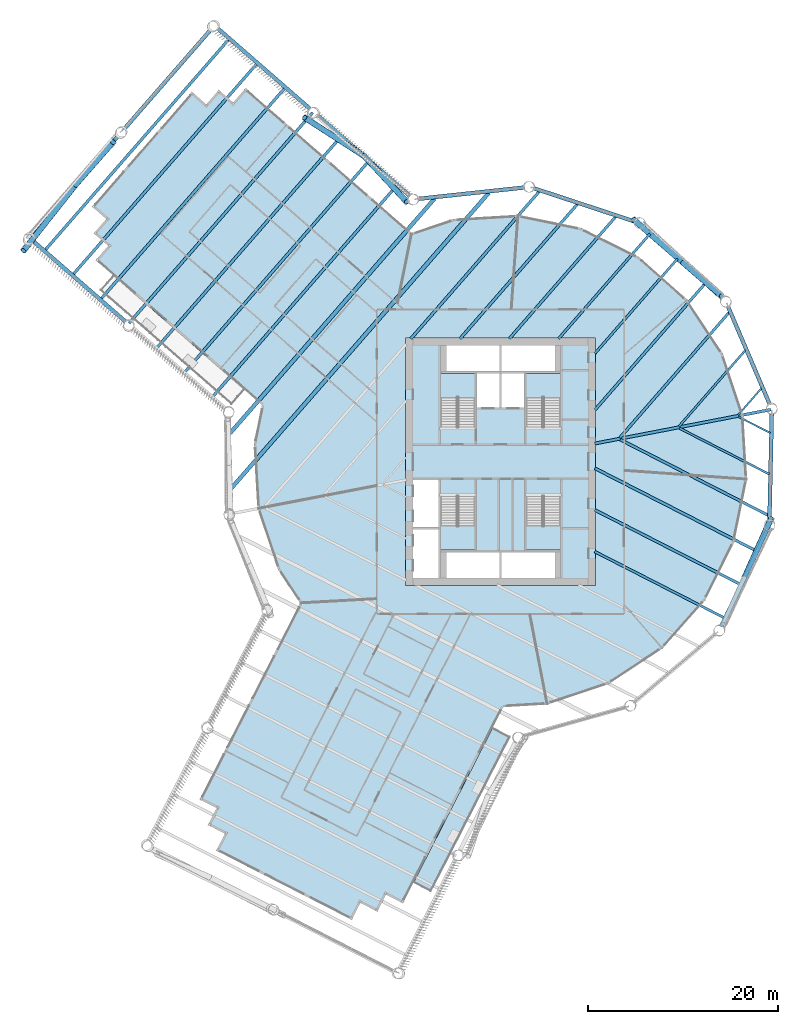
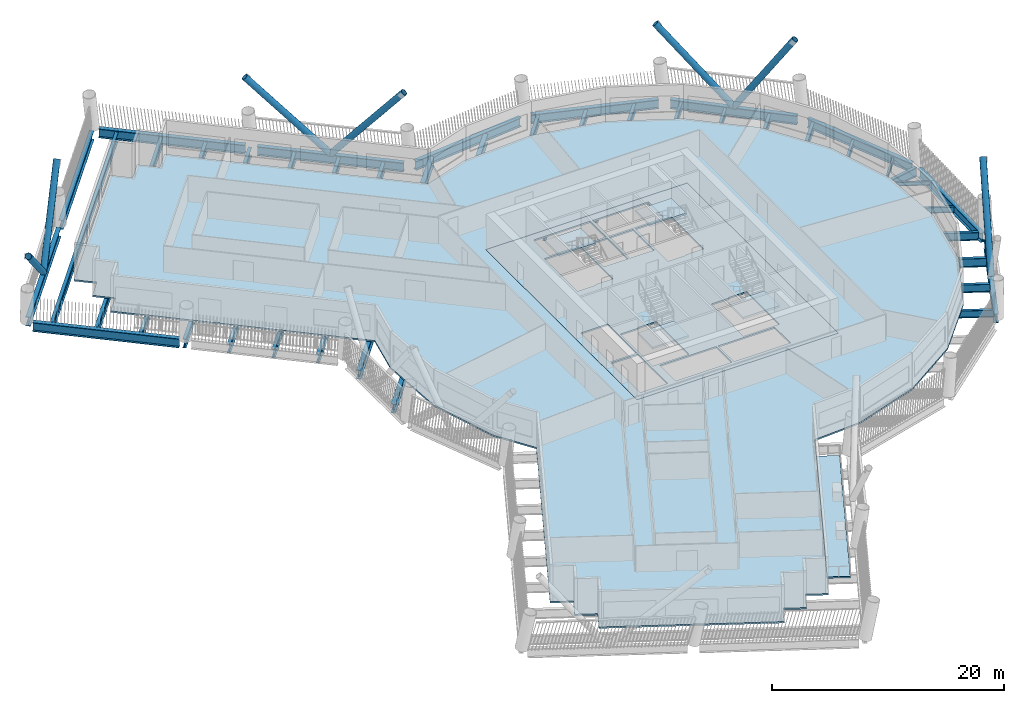
# One storey, part 2 of 21: 36 beams, 7 members, 7 slabs, 4 elements without a shape of their own.
"""IFC4 building model written with IfcOpenShell, lengths in metres."""

from ifc_helpers import new_model, si_unit, direction, frame, origin, origin_2d, place, context, subcontext, project, spatial, polyline, hollow_circle, i_section, outline, extrude, material, layer, layer_set, material_profile, profile_set, type_object, element, aggregate, save


model = new_model("IFC4")

# Units and contexts
model_context = context("Model", 3, precision=1e-05, world=origin(), true_north=direction((0.0, 1.0)))
body_context = subcontext(model_context, "Body", "Model", "MODEL_VIEW")
ifc_project = project(units=[si_unit("LENGTHUNIT", "METRE"), si_unit("AREAUNIT", "SQUARE_METRE"), si_unit("VOLUMEUNIT", "CUBIC_METRE"), si_unit("PLANEANGLEUNIT", "RADIAN"), si_unit("MASSUNIT", "GRAM", prefix="KILO")], contexts=[model_context])

# Site, building, storey
site_placement = place(None, origin())
site = spatial("IfcSite", under=ifc_project, at=site_placement, CompositionType="ELEMENT")
building_placement = place(site_placement, origin())
building = spatial("IfcBuilding", under=site, at=building_placement, Name="Tarsis Ring Headquarters", CompositionType="ELEMENT")
storey_placement = place(building_placement, frame((0.0, 0.0, 100.60009765625)))
storey = spatial("IfcBuildingStorey", under=building, at=storey_placement, Name="L22", CompositionType="ELEMENT", Elevation=100.60009765625)

# Beams
ifc_material_1 = material(Name="Structural steel S355", Category="steel")
ifc_material_profile_1 = material_profile(ifc_material_1, i_section(OverallWidth=0.177734375, OverallDepth=0.406494140625, WebThickness=0.0078125, FlangeThickness=0.0126953125, at=origin_2d()), Name="W16x40")
ifc_profile_set_1 = profile_set([ifc_material_profile_1], Name="Structural steel S355")
beam_type_1 = type_object("IfcBeamType", Name="FB Floor beam W16x40", PredefinedType="JOIST", material=ifc_profile_set_1)
for number, where, z_axis, x_axis, name in (
    (1, (25.014892578125, 4.73095703125, -0.36328125), (0.890371801775, -0.455234065733, 0.0), (0.455234065733, 0.890371801775, 0.0), "Floor beam FB1"),
    (2, (27.438232421875, 7.73486328125, -0.36328125), (-0.657136151035, -0.753771901177, 0.0), (0.753771901177, -0.657136151035, 0.0), "Floor beam FB1"),
):
    element("IfcBeam", number, at=place(storey_placement, frame(where, z_axis=z_axis, x_axis=x_axis)), inside=storey, type_object=beam_type_1, Name=name, PredefinedType="JOIST", context=body_context, shape_type="SweptSolid", body=[
        extrude(i_section(OverallWidth=0.177734375, OverallDepth=0.406494140625, WebThickness=0.0078125, FlangeThickness=0.0126953125, at=origin_2d()), origin(), (0.0, 0.0, 1.0), 3.74169921875),
    ])
ifc_material_profile_2 = material_profile(ifc_material_1, i_section(OverallWidth=0.228271484375, OverallDepth=0.607177734375, WebThickness=0.01123046875, FlangeThickness=0.017333984375, at=origin_2d()), Name="W24x76")
ifc_profile_set_2 = profile_set([ifc_material_profile_2], Name="Structural steel S355")
beam_type_2 = type_object("IfcBeamType", Name="FB Floor beam W24x76", PredefinedType="JOIST", material=ifc_profile_set_2)
beam_1_placement = place(storey_placement, frame((18.794921875, 3.531005859375, -0.463623046875), z_axis=(0.890368432339, -0.455240655801, 0.0), x_axis=(0.455240655801, 0.890368432339, 0.0)))
element("IfcBeam", 3, at=beam_1_placement, inside=storey, type_object=beam_type_2, Name="Floor beam FB4", PredefinedType="JOIST", context=body_context, shape_type="SweptSolid", body=[
    extrude(i_section(OverallWidth=0.228271484375, OverallDepth=0.607177734375, WebThickness=0.01123046875, FlangeThickness=0.017333984375, at=origin_2d()), origin(), (0.0, 0.0, 1.0), 10.62109375),
])
beam_2_placement = place(storey_placement, frame((25.73876953125, 11.720703125, -0.463623046875), z_axis=(-0.657100707869, -0.753802798959, 0.0), x_axis=(0.753802798959, -0.657100707869, 0.0)))
element("IfcBeam", 4, at=beam_2_placement, inside=storey, type_object=beam_type_2, Name="Floor beam FB4", PredefinedType="JOIST", context=body_context, shape_type="SweptSolid", body=[
    extrude(i_section(OverallWidth=0.228271484375, OverallDepth=0.607177734375, WebThickness=0.01123046875, FlangeThickness=0.017333984375, at=origin_2d()), origin(), (0.0, 0.0, 1.0), 10.621337890625),
])
ifc_material_profile_3 = material_profile(ifc_material_1, i_section(OverallWidth=0.2529296875, OverallDepth=0.67822265625, WebThickness=0.01171875, FlangeThickness=0.016357421875, at=origin_2d()), Name="W27x84")
ifc_profile_set_3 = profile_set([ifc_material_profile_3], Name="Structural steel S355")
beam_type_3 = type_object("IfcBeamType", Name="FB Floor beam W27x84", PredefinedType="JOIST", material=ifc_profile_set_3)
beam_3_placement = place(storey_placement, frame((18.591552734375, 21.326904296875, -0.499267578125), z_axis=(-0.65711414238, -0.753791087693, 0.0), x_axis=(0.753791087693, -0.65711414238, 0.0)))
element("IfcBeam", 5, at=beam_3_placement, inside=storey, type_object=beam_type_3, Name="Floor beam FB5", PredefinedType="JOIST", context=body_context, shape_type="SweptSolid", body=[
    extrude(i_section(OverallWidth=0.2529296875, OverallDepth=0.67822265625, WebThickness=0.01171875, FlangeThickness=0.016357421875, at=origin_2d()), origin(), (0.0, 0.0, 1.0), 13.174560546875),
])
ifc_material_profile_4 = material_profile(ifc_material_1, i_section(OverallWidth=0.2666015625, OverallDepth=0.7568359375, WebThickness=0.013916015625, FlangeThickness=0.019287109375, at=origin_2d()), Name="W30x108")
ifc_profile_set_4 = profile_set([ifc_material_profile_4], Name="Structural steel S355")
beam_type_4 = type_object("IfcBeamType", Name="FB Floor beam W30x108", PredefinedType="JOIST", material=ifc_profile_set_4)
beam_4_placement = place(storey_placement, frame((9.910888671875, -9.447509765625, -0.53857421875), z_axis=(0.890371316867, -0.455235014142, 0.0), x_axis=(0.455235014142, 0.890371316867, 0.0)))
element("IfcBeam", 6, at=beam_4_placement, inside=storey, type_object=beam_type_4, Name="Floor beam FB6", PredefinedType="JOIST", context=body_context, shape_type="SweptSolid", body=[
    extrude(i_section(OverallWidth=0.2666015625, OverallDepth=0.7568359375, WebThickness=0.013916015625, FlangeThickness=0.019287109375, at=origin_2d()), origin(), (0.0, 0.0, 1.0), 15.268798828125),
])
beam_5_placement = place(storey_placement, frame((15.71826171875, 23.966064453125, -0.53857421875), z_axis=(-0.657108732811, -0.753795803427, 0.0), x_axis=(0.753795803427, -0.657108732811, 0.0)))
element("IfcBeam", 7, at=beam_5_placement, inside=storey, type_object=beam_type_4, Name="Floor beam FB6", PredefinedType="JOIST", context=body_context, shape_type="SweptSolid", body=[
    extrude(i_section(OverallWidth=0.2666015625, OverallDepth=0.7568359375, WebThickness=0.013916015625, FlangeThickness=0.019287109375, at=origin_2d()), origin(), (0.0, 0.0, 1.0), 14.64794921875),
])
ifc_material_profile_5 = material_profile(ifc_material_1, i_section(OverallWidth=0.2919921875, OverallDepth=0.835693359375, WebThickness=0.013916015625, FlangeThickness=0.018798828125, at=origin_2d()), Name="W33x118")
ifc_profile_set_5 = profile_set([ifc_material_profile_5], Name="Structural steel S355")
beam_type_5 = type_object("IfcBeamType", Name="FB Floor beam W33x118", PredefinedType="JOIST", material=ifc_profile_set_5)
beam_6_placement = place(storey_placement, frame((12.574951171875, 2.3310546875, -0.577880859375), z_axis=(0.890370603021, -0.455236410315, 0.0), x_axis=(0.455236410315, 0.890370603021, 0.0)))
element("IfcBeam", 8, at=beam_6_placement, inside=storey, type_object=beam_type_5, Name="Floor beam FB7", PredefinedType="JOIST", context=body_context, shape_type="SweptSolid", body=[
    extrude(i_section(OverallWidth=0.2919921875, OverallDepth=0.835693359375, WebThickness=0.013916015625, FlangeThickness=0.018798828125, at=origin_2d()), origin(), (0.0, 0.0, 1.0), 17.5009765625),
])
beam_7_placement = place(storey_placement, frame((9.910888671875, -5.0673828125, -0.577880859375), z_axis=(0.890373693119, -0.455230366521, 0.0), x_axis=(0.455230366521, 0.890373693119, 0.0)))
element("IfcBeam", 9, at=beam_7_placement, inside=storey, type_object=beam_type_5, Name="Floor beam FB7", PredefinedType="JOIST", context=body_context, shape_type="SweptSolid", body=[
    extrude(i_section(OverallWidth=0.2919921875, OverallDepth=0.835693359375, WebThickness=0.013916015625, FlangeThickness=0.018798828125, at=origin_2d()), origin(), (0.0, 0.0, 1.0), 17.16162109375),
])
beam_8_placement = place(storey_placement, frame((24.03955078125, 15.706298828125, -0.577880859375), z_axis=(-0.657114876635, -0.753790447608, 0.0), x_axis=(0.753790447608, -0.657114876635, 0.0)))
element("IfcBeam", 10, at=beam_8_placement, inside=storey, type_object=beam_type_5, Name="Floor beam FB7", PredefinedType="JOIST", context=body_context, shape_type="SweptSolid", body=[
    extrude(i_section(OverallWidth=0.2919921875, OverallDepth=0.835693359375, WebThickness=0.013916015625, FlangeThickness=0.018798828125, at=origin_2d()), origin(), (0.0, 0.0, 1.0), 17.500732421875),
])
beam_9_placement = place(storey_placement, frame((21.46484375, 18.68798828125, -0.577880859375), z_axis=(-0.657110673822, -0.753794111379, 0.0), x_axis=(0.753794111379, -0.657110673822, 0.0)))
element("IfcBeam", 11, at=beam_9_placement, inside=storey, type_object=beam_type_5, Name="Floor beam FB7", PredefinedType="JOIST", context=body_context, shape_type="SweptSolid", body=[
    extrude(i_section(OverallWidth=0.2919921875, OverallDepth=0.835693359375, WebThickness=0.013916015625, FlangeThickness=0.018798828125, at=origin_2d()), origin(), (0.0, 0.0, 1.0), 17.54736328125),
])
beam_10_placement = place(storey_placement, frame((12.123291015625, 25.777099609375, -0.577880859375), z_axis=(-0.657112671091, -0.75379237028, 0.0), x_axis=(0.75379237028, -0.657112671091, 0.0)))
element("IfcBeam", 12, at=beam_10_placement, inside=storey, type_object=beam_type_5, Name="Floor beam FB7", PredefinedType="JOIST", context=body_context, shape_type="SweptSolid", body=[
    extrude(i_section(OverallWidth=0.2919921875, OverallDepth=0.835693359375, WebThickness=0.013916015625, FlangeThickness=0.018798828125, at=origin_2d()), origin(), (0.0, 0.0, 1.0), 17.050537109375),
])
ifc_material_profile_6 = material_profile(ifc_material_1, i_section(OverallWidth=0.3046875, OverallDepth=0.904296875, WebThickness=0.01513671875, FlangeThickness=0.02001953125, at=origin_2d()), Name="W36x135")
ifc_profile_set_6 = profile_set([ifc_material_profile_6], Name="Structural steel S355")
beam_type_6 = type_object("IfcBeamType", Name="FB Floor beam W36x135", PredefinedType="JOIST", material=ifc_profile_set_6)
beam_11_placement = place(storey_placement, frame((9.910888671875, -0.687255859375, -0.6123046875), z_axis=(0.890375597264, -0.45522664223, 0.0), x_axis=(0.45522664223, 0.890375597264, 0.0)))
element("IfcBeam", 13, at=beam_11_placement, inside=storey, type_object=beam_type_6, Name="Floor beam FB8", PredefinedType="JOIST", context=body_context, shape_type="SweptSolid", body=[
    extrude(i_section(OverallWidth=0.3046875, OverallDepth=0.904296875, WebThickness=0.01513671875, FlangeThickness=0.02001953125, at=origin_2d()), origin(), (0.0, 0.0, 1.0), 19.054443359375),
])
beam_12_placement = place(storey_placement, frame((8.103271484375, 27.100830078125, -0.6123046875), z_axis=(-0.657108344309, -0.753796142097, 0.0), x_axis=(0.753796142097, -0.657108344309, 0.0)))
element("IfcBeam", 14, at=beam_12_placement, inside=storey, type_object=beam_type_6, Name="Floor beam FB8", PredefinedType="JOIST", context=body_context, shape_type="SweptSolid", body=[
    extrude(i_section(OverallWidth=0.3046875, OverallDepth=0.904296875, WebThickness=0.01513671875, FlangeThickness=0.02001953125, at=origin_2d()), origin(), (0.0, 0.0, 1.0), 18.806396484375),
])
beam_13_placement = place(storey_placement, frame((4.083251953125, 28.42431640625, -0.6123046875), z_axis=(-0.657110637585, -0.753794142967, 0.0), x_axis=(0.753794142967, -0.657110637585, 0.0)))
element("IfcBeam", 15, at=beam_13_placement, inside=storey, type_object=beam_type_6, Name="Floor beam FB8", PredefinedType="JOIST", context=body_context, shape_type="SweptSolid", body=[
    extrude(i_section(OverallWidth=0.3046875, OverallDepth=0.904296875, WebThickness=0.01513671875, FlangeThickness=0.02001953125, at=origin_2d()), origin(), (0.0, 0.0, 1.0), 20.562255859375),
])
ifc_material_profile_7 = material_profile(ifc_material_1, i_section(OverallWidth=0.309814453125, OverallDepth=0.949951171875, WebThickness=0.0244140625, FlangeThickness=0.0439453125, at=origin_2d()), Name="W36x256")
ifc_profile_set_7 = profile_set([ifc_material_profile_7], Name="Structural steel S355")
beam_type_7 = type_object("IfcBeamType", Name="FB Floor beam W36x256", PredefinedType="JOIST", material=ifc_profile_set_7)
for number, where, z_axis, x_axis, name in (
    (16, (-10.927001953125, 29.0107421875, -0.635009765625), (-0.657111953112, -0.753792996172, 0.0), (0.753792996172, -0.657111953112, 0.0), "Floor beam FB11"),
    (17, (-13.86669921875, 31.573486328125, -0.635009765625), (-0.657111953112, -0.753792996172, 0.0), (0.753792996172, -0.657111953112, 0.0), "Floor beam FB11"),
    (18, (-16.806640625, 34.13623046875, -0.635009765625), (-0.657107230771, -0.753797112802, 0.0), (0.753797112802, -0.657107230771, 0.0), "Floor beam FB11"),
    (19, (-19.746337890625, 36.698974609375, -0.635009765625), (-0.657111953112, -0.753792996172, 0.0), (0.753792996172, -0.657111953112, 0.0), "Floor beam FB11"),
    (20, (-22.68603515625, 39.26171875, -0.635009765625), (-0.657111953112, -0.753792996172, 0.0), (0.753792996172, -0.657111953112, 0.0), "Floor beam FB11"),
    (21, (-25.6259765625, 41.824462890625, -0.635009765625), (-0.657111953112, -0.753792996172, 0.0), (0.753792996172, -0.657111953112, 0.0), "Floor beam FB11"),
    (22, (-28.565673828125, 44.38720703125, -0.635009765625), (-0.657111953112, -0.753792996172, 0.0), (0.753792996172, -0.657111953112, 0.0), "Floor beam FB11"),
):
    element("IfcBeam", number, at=place(storey_placement, frame(where, z_axis=z_axis, x_axis=x_axis)), inside=storey, type_object=beam_type_7, Name=name, PredefinedType="JOIST", context=body_context, shape_type="SweptSolid", body=[
        extrude(i_section(OverallWidth=0.309814453125, OverallDepth=0.949951171875, WebThickness=0.0244140625, FlangeThickness=0.0439453125, at=origin_2d()), origin(), (0.0, 0.0, 1.0), 29.375732421875),
    ])
beam_type_8 = type_object("IfcBeamType", Name="FB Floor beam W36x256 spine", PredefinedType="BEAM", material=ifc_profile_set_7)
beam_14_placement = place(storey_placement, frame((28.40771484375, 5.480712890625, -0.635009765625), z_axis=(-0.981893179793, -0.189435433526, 0.0), x_axis=(0.189435433526, -0.981893179793, 0.0)))
element("IfcBeam", 23, at=beam_14_placement, inside=storey, type_object=beam_type_8, Name="Floor beam SB11", PredefinedType="BEAM", context=body_context, shape_type="SweptSolid", body=[
    extrude(i_section(OverallWidth=0.309814453125, OverallDepth=0.949951171875, WebThickness=0.0244140625, FlangeThickness=0.0439453125, at=origin_2d()), origin(), (0.0, 0.0, 1.0), 18.84716796875),
])
ifc_material_profile_8 = material_profile(ifc_material_1, i_section(OverallWidth=0.42431640625, OverallDepth=0.947509765625, WebThickness=0.02392578125, FlangeThickness=0.042724609375, at=origin_2d()), Name="W36x302")
ifc_profile_set_8 = profile_set([ifc_material_profile_8], Name="Structural steel S355")
beam_type_9 = type_object("IfcBeamType", Name="FB Floor beam W36x302", PredefinedType="JOIST", material=ifc_profile_set_8)
beam_15_placement = place(storey_placement, frame((-1.213623046875, 28.283203125, -0.6337890625), z_axis=(-0.65711206344, -0.753792899994, 0.0), x_axis=(0.753792899994, -0.65711206344, 0.0)))
element("IfcBeam", 24, at=beam_15_placement, inside=storey, type_object=beam_type_9, Name="Floor beam FB12", PredefinedType="JOIST", context=body_context, shape_type="SweptSolid", body=[
    extrude(i_section(OverallWidth=0.42431640625, OverallDepth=0.947509765625, WebThickness=0.02392578125, FlangeThickness=0.042724609375, at=origin_2d()), origin(), (0.0, 0.0, 1.0), 41.35302734375),
])
beam_16_placement = place(storey_placement, frame((-6.920654296875, 27.67138671875, -0.6337890625), z_axis=(-0.657113014327, -0.753792071066, 0.0), x_axis=(0.753792071066, -0.657113014327, 0.0)))
element("IfcBeam", 25, at=beam_16_placement, inside=storey, type_object=beam_type_9, Name="Floor beam FB12", PredefinedType="JOIST", context=body_context, shape_type="SweptSolid", body=[
    extrude(i_section(OverallWidth=0.42431640625, OverallDepth=0.947509765625, WebThickness=0.02392578125, FlangeThickness=0.042724609375, at=origin_2d()), origin(), (0.0, 0.0, 1.0), 32.704833984375),
])

# Members
ifc_material_profile_9 = material_profile(ifc_material_1, hollow_circle(Radius=0.3046875, WallThickness=0.02490234375, at=origin_2d()), Name="CHS 610x25")
ifc_profile_set_9 = profile_set([ifc_material_profile_9], Name="Structural steel S355")
member_type = type_object("IfcMemberType", Name="XD X brace CHS 610x25", PredefinedType="BRACE", material=ifc_profile_set_9)
for number, where, z_axis, x_axis, name in (
    (26, (25.609375, -12.2666015625, 0.0), (0.27072788235, 0.604600592966, 0.749109162074), (-0.912678269871, 0.408678817294, 0.0), "X brace XD1"),
    (27, (19.2080078125, 20.9130859375, 0.0), (-0.499247343556, 0.435422842844, 0.749105491825), (-0.657290915197, -0.753636950262, 0.0), "X brace XD1"),
):
    element("IfcMember", number, at=place(storey_placement, frame(where, z_axis=z_axis, x_axis=x_axis)), inside=storey, type_object=member_type, Name=name, PredefinedType="BRACE", context=body_context, shape_type="SweptSolid", body=[
        extrude(hollow_circle(Radius=0.3046875, WallThickness=0.02490234375, at=origin_2d()), origin(), (0.0, 0.0, 1.0), 10.412109375),
    ])
member_1_placement = place(storey_placement, frame((19.2080078125, 20.9130859375, 0.0), z_axis=(0.427652925182, -0.370353782572, 0.824591445091), x_axis=(0.654649110571, 0.755932895188, 0.0)))
element("IfcMember", 28, at=member_1_placement, inside=storey, type_object=member_type, Name="X brace XD1", PredefinedType="BRACE", context=body_context, shape_type="SweptSolid", body=[
    extrude(hollow_circle(Radius=0.3046875, WallThickness=0.02490234375, at=origin_2d()), origin(), (0.0, 0.0, 1.0), 9.458984375),
])
member_2_placement = place(storey_placement, frame((-14.35595703125, 32.148681640625, 0.0), z_axis=(-0.57902388745, 0.373555017571, 0.724698548784), x_axis=(-0.542117871963, -0.840302453226, 0.0)))
element("IfcMember", 29, at=member_2_placement, inside=storey, type_object=member_type, Name="X brace XD1", PredefinedType="BRACE", context=body_context, shape_type="SweptSolid", body=[
    extrude(hollow_circle(Radius=0.3046875, WallThickness=0.02490234375, at=origin_2d()), origin(), (0.0, 0.0, 1.0), 10.762939453125),
])
member_3_placement = place(storey_placement, frame((-14.35595703125, 32.148681640625, 0.0), z_axis=(0.439843056527, -0.4725444316, 0.76370141141), x_axis=(0.731980572897, 0.681325502899, 0.0)))
element("IfcMember", 30, at=member_3_placement, inside=storey, type_object=member_type, Name="X brace XD1", PredefinedType="BRACE", context=body_context, shape_type="SweptSolid", body=[
    extrude(hollow_circle(Radius=0.3046875, WallThickness=0.02490234375, at=origin_2d()), origin(), (0.0, 0.0, 1.0), 10.213134765625),
])
member_4_placement = place(storey_placement, frame((-44.662841796875, 29.117431640625, 0.0), z_axis=(-0.46520995903, -0.58818507572, 0.66152702947), x_axis=(0.784329046818, -0.620345021998, 0.0)))
element("IfcMember", 31, at=member_4_placement, inside=storey, type_object=member_type, Name="X brace XD1", PredefinedType="BRACE", context=body_context, shape_type="SweptSolid", body=[
    extrude(hollow_circle(Radius=0.3046875, WallThickness=0.02490234375, at=origin_2d()), origin(), (0.0, 0.0, 1.0), 11.79052734375),
])
member_5_placement = place(storey_placement, frame((-44.662841796875, 29.117431640625, 0.0), z_axis=(0.400583343673, 0.456484476988, 0.794452583255), x_axis=(-0.75162983174, 0.659585169663, 0.0)))
element("IfcMember", 32, at=member_5_placement, inside=storey, type_object=member_type, Name="X brace XD1", PredefinedType="BRACE", context=body_context, shape_type="SweptSolid", body=[
    extrude(hollow_circle(Radius=0.3046875, WallThickness=0.02490234375, at=origin_2d()), origin(), (0.0, 0.0, 1.0), 9.81787109375),
])

# Beams
beam_type_10 = type_object("IfcBeamType", Name="XG Ring girder W36x302", PredefinedType="BEAM", material=ifc_profile_set_8)
for number, where, z_axis, x_axis, name in (
    (33, (23.19091796875, -17.31591796875, -0.473876953125), (0.43197388327, 0.901886114858, 0.0), (-0.901886114858, 0.43197388327, 0.0), "Ring girder XG1"),
    (34, (28.2666015625, -6.21728515625, -0.473876953125), (0.021825432549, 0.999761796877, 0.0), (-0.999761796877, 0.021825432549, 0.0), "Ring girder XG1"),
    (35, (28.31640625, 5.986572265625, -0.473876953125), (-0.392205517786, 0.919877617848, 0.0), (-0.919877617848, -0.392205517786, 0.0), "Ring girder XG1"),
):
    element("IfcBeam", number, at=place(storey_placement, frame(where, z_axis=z_axis, x_axis=x_axis)), inside=storey, type_object=beam_type_10, Name=name, PredefinedType="BEAM", context=body_context, shape_type="SweptSolid", body=[
        extrude(i_section(OverallWidth=0.42431640625, OverallDepth=0.947509765625, WebThickness=0.02392578125, FlangeThickness=0.042724609375, at=origin_2d()), origin(), (0.0, 0.0, 1.0), 11.197265625),
    ])
beam_17_placement = place(storey_placement, frame((23.331298828125, 17.1259765625, -0.473876953125), z_axis=(-0.736492202036, 0.676446033576, 0.0), x_axis=(-0.676446033576, -0.736492202036, 0.0)))
element("IfcBeam", 36, at=beam_17_placement, inside=storey, type_object=beam_type_10, Name="Ring girder XG1", PredefinedType="BEAM", context=body_context, shape_type="SweptSolid", body=[
    extrude(i_section(OverallWidth=0.42431640625, OverallDepth=0.947509765625, WebThickness=0.02392578125, FlangeThickness=0.042724609375, at=origin_2d()), origin(), (0.0, 0.0, 1.0), 11.197509765625),
])
for number, where, z_axis, x_axis, name in (
    (37, (14.197998046875, 25.220458984375, -0.473876953125), (-0.949843325666, 0.312726168856, 0.0), (-0.312726168856, -0.949843325666, 0.0), "Ring girder XG1"),
    (38, (2.5400390625, 28.83056640625, -0.473876953125), (-0.994302305641, -0.106597021518, 0.0), (0.106597021518, -0.994302305641, 0.0), "Ring girder XG1"),
):
    element("IfcBeam", number, at=place(storey_placement, frame(where, z_axis=z_axis, x_axis=x_axis)), inside=storey, type_object=beam_type_10, Name=name, PredefinedType="BEAM", context=body_context, shape_type="SweptSolid", body=[
        extrude(i_section(OverallWidth=0.42431640625, OverallDepth=0.947509765625, WebThickness=0.02392578125, FlangeThickness=0.042724609375, at=origin_2d()), origin(), (0.0, 0.0, 1.0), 11.197265625),
    ])
for number, where, z_axis, x_axis, name in (
    (39, (-9.512451171875, 27.926513671875, -0.473876953125), (-0.7537934807, 0.657111397294, 0.0), (-0.657111397294, -0.7537934807, 0.0), "Ring girder XG1"),
    (40, (-19.991943359375, 37.061767578125, -0.473876953125), (-0.7537934807, 0.657111397294, 0.0), (-0.657111397294, -0.7537934807, 0.0), "Ring girder XG1"),
):
    element("IfcBeam", number, at=place(storey_placement, frame(where, z_axis=z_axis, x_axis=x_axis)), inside=storey, type_object=beam_type_10, Name=name, PredefinedType="BEAM", context=body_context, shape_type="SweptSolid", body=[
        extrude(i_section(OverallWidth=0.42431640625, OverallDepth=0.947509765625, WebThickness=0.02392578125, FlangeThickness=0.042724609375, at=origin_2d()), origin(), (0.0, 0.0, 1.0), 12.8505859375),
    ])
beam_18_placement = place(storey_placement, frame((-30.42041015625, 45.455322265625, -0.473876953125), z_axis=(-0.657116832453, -0.753788742624, 0.0), x_axis=(0.753788742624, -0.657116832453, 0.0)))
element("IfcBeam", 41, at=beam_18_placement, inside=storey, type_object=beam_type_10, Name="Ring girder XG1", PredefinedType="BEAM", context=body_context, shape_type="SweptSolid", body=[
    extrude(i_section(OverallWidth=0.42431640625, OverallDepth=0.947509765625, WebThickness=0.02392578125, FlangeThickness=0.042724609375, at=origin_2d()), origin(), (0.0, 0.0, 1.0), 13.74853515625),
])
beam_19_placement = place(storey_placement, frame((-40.145751953125, 34.299072265625, -0.473876953125), z_axis=(-0.657115538426, -0.753789870693, 0.0), x_axis=(0.753789870693, -0.657115538426, 0.0)))
element("IfcBeam", 42, at=beam_19_placement, inside=storey, type_object=beam_type_10, Name="Ring girder XG1", PredefinedType="BEAM", context=body_context, shape_type="SweptSolid", body=[
    extrude(i_section(OverallWidth=0.42431640625, OverallDepth=0.947509765625, WebThickness=0.02392578125, FlangeThickness=0.042724609375, at=origin_2d()), origin(), (0.0, 0.0, 1.0), 13.748291015625),
])
beam_20_placement = place(storey_placement, frame((-49.129150390625, 23.19384765625, -0.473876953125), z_axis=(0.7537934807, -0.657111397294, 0.0), x_axis=(0.657111397294, 0.7537934807, 0.0)))
element("IfcBeam", 43, at=beam_20_placement, inside=storey, type_object=beam_type_10, Name="Ring girder XG1", PredefinedType="BEAM", context=body_context, shape_type="SweptSolid", body=[
    extrude(i_section(OverallWidth=0.42431640625, OverallDepth=0.947509765625, WebThickness=0.02392578125, FlangeThickness=0.042724609375, at=origin_2d()), origin(), (0.0, 0.0, 1.0), 12.8505859375),
])

# Slabs
ifc_material_2 = material(Name="Concrete C40/50", Category="concrete")
ifc_layer_1 = layer(ifc_material_2, 0.159912109375)
ifc_layer_set_1 = layer_set([ifc_layer_1], Name="Balcony slab concrete C40/50")
slab_type_1 = type_object("IfcSlabType", Name="Balcony slab concrete C40/50", PredefinedType="FLOOR", material=ifc_layer_set_1)
slab_1_placement = place(storey_placement, frame((0.0, 0.0, -0.16015625)))
element("IfcSlab", 44, at=slab_1_placement, inside=storey, type_object=slab_type_1, Name="Balcony slab L22-16", PredefinedType="FLOOR", context=body_context, shape_type="SweptSolid", body=[
    extrude(outline(polyline([(-9.1181640625, -44.194091796875), (-7.33740234375, -45.1044921875), (0.925537109375, -28.943115234375), (-0.855224609375, -28.032470703125), (-9.1181640625, -44.194091796875)])), origin(), (0.0, 0.0, 1.0), 0.16015625),
])
ifc_layer_2 = layer(ifc_material_2, 0.159912109375)
ifc_layer_set_2 = layer_set([ifc_layer_2], Name="Core floor slab 160 C40/50")
slab_type_2 = type_object("IfcSlabType", Name="Core floor slab 160 C40/50", PredefinedType="FLOOR", material=ifc_layer_set_2)
slab_2_placement = place(storey_placement, frame((0.0, 0.0, -0.16015625)))
element("IfcSlab", 45, at=slab_2_placement, inside=storey, type_object=slab_type_2, Name="L22 core floor slab", PredefinedType="FLOOR", context=body_context, shape_type="SweptSolid", body=[
    extrude(outline(polyline([(-10.0, -13.0), (10.0, -13.0), (10.0, 13.0), (-10.0, 13.0), (-10.0, -13.0)]), holes=[polyline([(-2.5, 5.699951171875), (-0.10009765625, 5.699951171875), (-0.10009765625, 9.300048828125), (-2.5, 9.300048828125), (-2.5, 5.699951171875)]), polyline([(0.10009765625, 5.699951171875), (2.5, 5.699951171875), (2.5, 9.300048828125), (0.10009765625, 9.300048828125), (0.10009765625, 5.699951171875)]), polyline([(-9.199951171875, -12.199951171875), (-6.5, -12.199951171875), (-6.5, -7.10009765625), (-9.199951171875, -7.10009765625), (-9.199951171875, -12.199951171875)]), polyline([(-9.199951171875, -6.89990234375), (-6.5, -6.89990234375), (-6.5, -1.89990234375), (-9.199951171875, -1.89990234375), (-9.199951171875, -6.89990234375)]), polyline([(-5.699951171875, 9.5), (-0.10009765625, 9.5), (-0.10009765625, 12.199951171875), (-5.699951171875, 12.199951171875), (-5.699951171875, 9.5)]), polyline([(0.10009765625, 9.5), (5.699951171875, 9.5), (5.699951171875, 12.199951171875), (0.10009765625, 12.199951171875), (0.10009765625, 9.5)]), polyline([(-5.699951171875, -12.199951171875), (-0.10009765625, -12.199951171875), (-0.10009765625, -9.5), (-5.699951171875, -9.5), (-5.699951171875, -12.199951171875)]), polyline([(0.10009765625, -12.199951171875), (5.699951171875, -12.199951171875), (5.699951171875, -9.5), (0.10009765625, -9.5), (0.10009765625, -12.199951171875)]), polyline([(-2.699951171875, 3.760009765625), (-2.699951171875, 9.300048828125), (-6.300048828125, 9.300048828125), (-6.300048828125, 3.659912109375), (-4.4599609375, 3.659912109375), (-4.4599609375, 3.760009765625), (-2.699951171875, 3.760009765625)]), polyline([(6.300048828125, 3.760009765625), (6.300048828125, 9.300048828125), (2.699951171875, 9.300048828125), (2.699951171875, 3.659912109375), (4.5400390625, 3.659912109375), (4.5400390625, 3.760009765625), (6.300048828125, 3.760009765625)]), polyline([(-6.300048828125, -3.760009765625), (-6.300048828125, -9.300048828125), (-2.699951171875, -9.300048828125), (-2.699951171875, -3.659912109375), (-4.5400390625, -3.659912109375), (-4.5400390625, -3.760009765625), (-6.300048828125, -3.760009765625)]), polyline([(2.699951171875, -3.760009765625), (2.699951171875, -9.300048828125), (6.300048828125, -9.300048828125), (6.300048828125, -3.659912109375), (4.4599609375, -3.659912109375), (4.4599609375, -3.760009765625), (2.699951171875, -3.760009765625)])]), origin(), (0.0, 0.0, 1.0), 0.16015625),
])

# Stair, slab
ifc_material_3 = material(Name="Core stair 1760")
stair_type = type_object("IfcStairType", Name="Core stair 1760", PredefinedType="HALF_TURN_STAIR", material=ifc_material_3)
stair_1_placement = place(storey_placement, origin())
stair_1 = element("IfcStair", 46, at=stair_1_placement, inside=storey, type_object=stair_type, Name="L22 Firefighting stair", PredefinedType="HALF_TURN_STAIR")
ifc_layer_3 = layer(ifc_material_2, 0.199951171875)
ifc_layer_set_3 = layer_set([ifc_layer_3], Name="Core stair landing 200")
slab_type_3 = type_object("IfcSlabType", Name="Core stair landing 200", PredefinedType="LANDING", material=ifc_layer_set_3)
slab_3_placement = place(storey_placement, frame((0.0, 0.0, 1.75)))
slab_3 = element("IfcSlab", 47, at=slab_3_placement, type_object=slab_type_3, Name="Stair ST1 landing 1", PredefinedType="LANDING", context=body_context, shape_type="SweptSolid", body=[
    extrude(outline(polyline([(-2.699951171875, 6.739990234375), (-2.699951171875, 9.300048828125), (-6.300048828125, 9.300048828125), (-6.300048828125, 6.739990234375), (-2.699951171875, 6.739990234375)])), origin(), (0.0, 0.0, 1.0), 0.199951171875),
])
aggregate(stair_1, [slab_3])

stair_2_placement = place(storey_placement, origin())
stair_2 = element("IfcStair", 48, at=stair_2_placement, inside=storey, type_object=stair_type, Name="L22 Exit stair B", PredefinedType="HALF_TURN_STAIR")
slab_4_placement = place(storey_placement, frame((0.0, 0.0, 1.75)))
slab_4 = element("IfcSlab", 49, at=slab_4_placement, type_object=slab_type_3, Name="Stair ST2 landing 1", PredefinedType="LANDING", context=body_context, shape_type="SweptSolid", body=[
    extrude(outline(polyline([(6.300048828125, 6.739990234375), (6.300048828125, 9.300048828125), (2.699951171875, 9.300048828125), (2.699951171875, 6.739990234375), (6.300048828125, 6.739990234375)])), origin(), (0.0, 0.0, 1.0), 0.199951171875),
])
aggregate(stair_2, [slab_4])

stair_3_placement = place(storey_placement, origin())
stair_3 = element("IfcStair", 50, at=stair_3_placement, inside=storey, type_object=stair_type, Name="L22 Exit stair C", PredefinedType="HALF_TURN_STAIR")
slab_5_placement = place(storey_placement, frame((0.0, 0.0, 1.75)))
slab_5 = element("IfcSlab", 51, at=slab_5_placement, type_object=slab_type_3, Name="Stair ST3 landing 1", PredefinedType="LANDING", context=body_context, shape_type="SweptSolid", body=[
    extrude(outline(polyline([(-6.300048828125, -6.739990234375), (-6.300048828125, -9.300048828125), (-2.699951171875, -9.300048828125), (-2.699951171875, -6.739990234375), (-6.300048828125, -6.739990234375)])), origin(), (0.0, 0.0, 1.0), 0.199951171875),
])
aggregate(stair_3, [slab_5])

stair_4_placement = place(storey_placement, origin())
stair_4 = element("IfcStair", 52, at=stair_4_placement, inside=storey, type_object=stair_type, Name="L22 Exit stair D", PredefinedType="HALF_TURN_STAIR")
slab_6_placement = place(storey_placement, frame((0.0, 0.0, 1.75)))
slab_6 = element("IfcSlab", 53, at=slab_6_placement, type_object=slab_type_3, Name="Stair ST4 landing 1", PredefinedType="LANDING", context=body_context, shape_type="SweptSolid", body=[
    extrude(outline(polyline([(2.699951171875, -6.739990234375), (2.699951171875, -9.300048828125), (6.300048828125, -9.300048828125), (6.300048828125, -6.739990234375), (2.699951171875, -6.739990234375)])), origin(), (0.0, 0.0, 1.0), 0.199951171875),
])
aggregate(stair_4, [slab_6])

# Slab
ifc_material_4 = material(Name="Concrete C35/45", Category="concrete")
ifc_layer_4 = layer(ifc_material_4, 0.159912109375)
ifc_layer_set_4 = layer_set([ifc_layer_4], Name="FS Composite floor slab 160")
slab_type_4 = type_object("IfcSlabType", Name="FS Composite floor slab 160", PredefinedType="FLOOR", material=ifc_layer_set_4)
slab_7_placement = place(storey_placement, frame((0.0, 0.0, -0.16015625)))
element("IfcSlab", 54, at=slab_7_placement, inside=storey, type_object=slab_type_4, Name="Floor slab L22", PredefinedType="FLOOR", context=body_context, shape_type="SweptSolid", body=[
    extrude(outline(polyline([(-25.093017578125, 5.955078125), (-25.93408203125, 1.849853515625), (-25.529296875, -4.92529296875), (-23.384521484375, -11.364990234375), (-21.07666015625, -14.862548828125), (-31.625244140625, -35.494384765625), (-29.844482421875, -36.40478515625), (-30.7548828125, -38.185546875), (-28.97412109375, -39.095947265625), (-29.884765625, -40.876708984375), (-15.638671875, -48.160400390625), (-14.728271484375, -46.379638671875), (-12.947509765625, -47.290283203125), (-12.037109375, -45.509521484375), (-10.25634765625, -46.419921875), (0.282958984375, -25.806640625), (4.92529296875, -25.529296875), (11.364990234375, -23.384521484375), (17.030029296875, -19.646240234375), (21.53466796875, -14.569091796875), (24.571533203125, -8.4990234375), (25.93408203125, -1.849853515625), (25.529296875, 4.92529296875), (23.384521484375, 11.364990234375), (19.646240234375, 17.030029296875), (14.569091796875, 21.53466796875), (8.4990234375, 24.571533203125), (1.849853515625, 25.93408203125), (-4.92529296875, 25.529296875), (-9.337890625, 24.0595703125), (-26.7890625, 39.272705078125), (-28.103271484375, 37.76513671875), (-29.61083984375, 39.079345703125), (-30.925048828125, 37.57177734375), (-32.432861328125, 38.885986328125), (-42.946533203125, 26.8251953125), (-41.43896484375, 25.510986328125), (-42.753173828125, 24.00341796875), (-41.24560546875, 22.689208984375), (-42.559814453125, 21.181640625), (-25.093017578125, 5.955078125)]), holes=[polyline([(-10.0, -13.0), (-10.0, 13.0), (10.0, 13.0), (10.0, -13.0), (-10.0, -13.0)])]), origin(), (0.0, 0.0, 1.0), 0.16015625),
])

save(model, "model.ifc")
